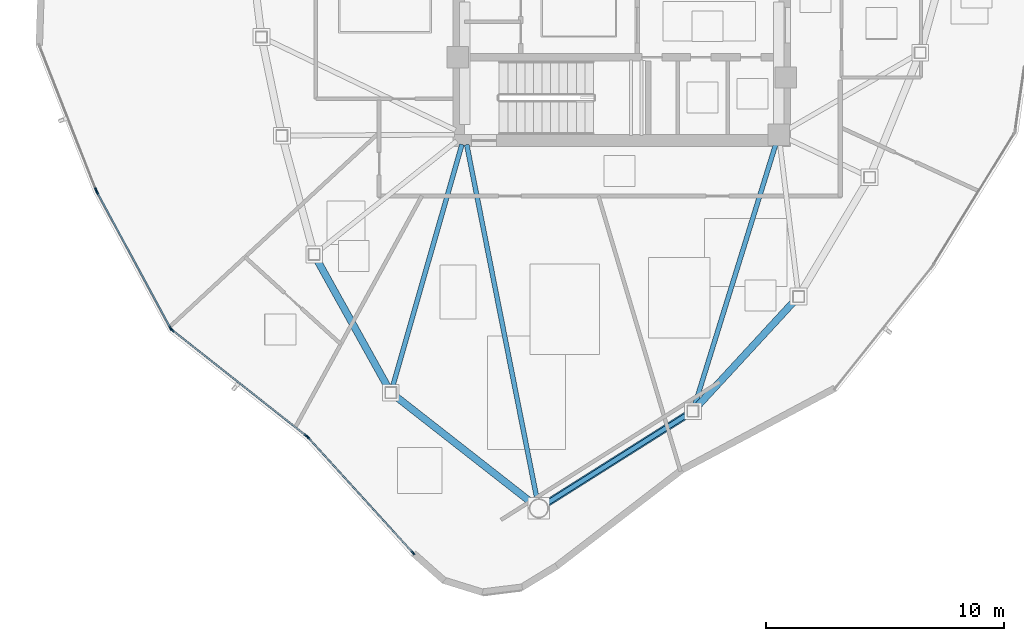
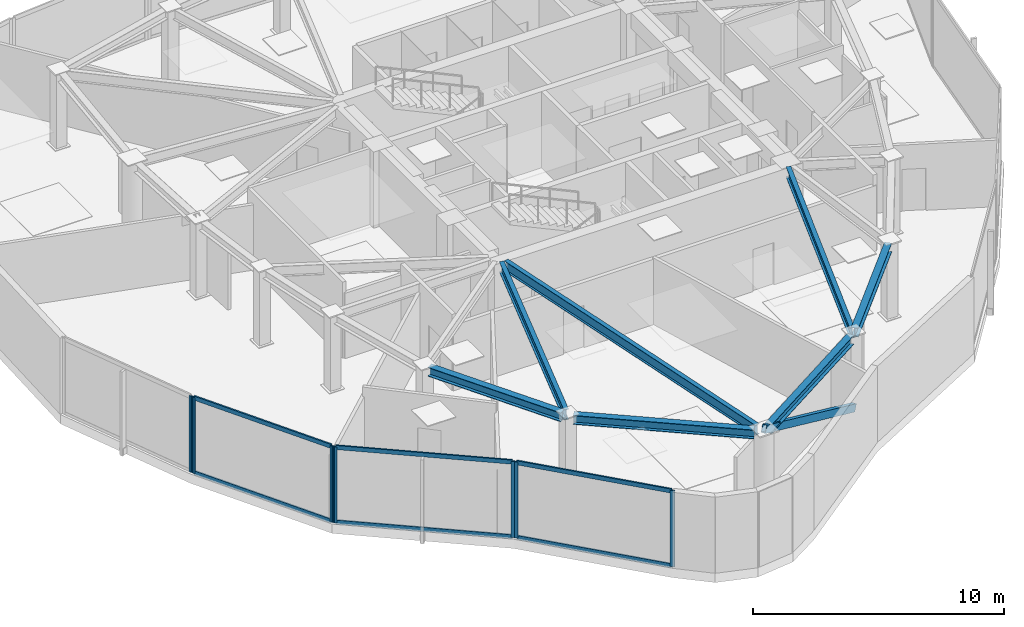
# One storey, part 2 of 14: 14 members, 7 beams, 4 elements without a shape of their own.
"""IFC4 building model written with IfcOpenShell, lengths in metres."""

from ifc_helpers import new_model, si_unit, direction, frame, origin, origin_2d, place, context, subcontext, project, spatial, hollow_rectangle, i_section, extrude, source, transform, mapped, material, layer, layer_set, material_profile, profile_set, type_object, type_shapes, element, aggregate, save


model = new_model("IFC4")

# Units and contexts
model_context = context("Model", 3, precision=1e-05, world=origin(), true_north=direction((0.0, 1.0)))
body_context = subcontext(model_context, "Body", "Model", "MODEL_VIEW")
ifc_project = project(units=[si_unit("LENGTHUNIT", "METRE"), si_unit("AREAUNIT", "SQUARE_METRE"), si_unit("VOLUMEUNIT", "CUBIC_METRE"), si_unit("PLANEANGLEUNIT", "RADIAN"), si_unit("MASSUNIT", "GRAM", prefix="KILO")], contexts=[model_context])

# Site, building, storey
site_placement = place(None, origin())
site = spatial("IfcSite", under=ifc_project, at=site_placement, CompositionType="ELEMENT")
building_placement = place(site_placement, origin())
building = spatial("IfcBuilding", under=site, at=building_placement, Name="Tavelor Broadcast Tower", CompositionType="ELEMENT")
storey_placement = place(building_placement, frame((0.0, 0.0, 273.5)))
storey = spatial("IfcBuildingStorey", under=building, at=storey_placement, Name="L65", CompositionType="ELEMENT", Elevation=273.5)

# Beams
ifc_material_1 = material(Name="Steel S355", Category="steel")
ifc_material_profile_1 = material_profile(ifc_material_1, i_section(OverallWidth=0.300048828125, OverallDepth=0.43994140625, WebThickness=0.011474609375, FlangeThickness=0.02099609375, at=origin_2d()), Name="HEA 450")
ifc_profile_set_1 = profile_set([ifc_material_profile_1], Name="Steel S355")
beam_type_1 = type_object("IfcBeamType", Name="Perimeter Spandrel Beam T7 HEA 450", PredefinedType="SPANDREL", material=ifc_profile_set_1)
beam_1_placement = place(storey_placement, frame((37.184814453125, 33.5498046875, 3.47998046875), z_axis=(0.485969141936, -0.873975968254, 0.0), x_axis=(0.873975968254, 0.485969141936, 0.0)))
element("IfcBeam", 1, at=beam_1_placement, inside=storey, type_object=beam_type_1, Name="L65 Framed-Tube Ring Spandrel 05", PredefinedType="SPANDREL", context=body_context, shape_type="SweptSolid", body=[
    extrude(i_section(OverallWidth=0.300048828125, OverallDepth=0.43994140625, WebThickness=0.011474609375, FlangeThickness=0.02099609375, at=origin_2d()), origin(), (0.0, 0.0, 1.0), 6.1630859375),
])
beam_2_placement = place(storey_placement, frame((40.485595703125, 27.8056640625, 3.47998046875), z_axis=(0.787521309141, -0.616287422919, 0.0), x_axis=(0.616287422919, 0.787521309141, 0.0)))
element("IfcBeam", 2, at=beam_2_placement, inside=storey, type_object=beam_type_1, Name="L65 Framed-Tube Ring Spandrel 06", PredefinedType="SPANDREL", context=body_context, shape_type="SweptSolid", body=[
    extrude(i_section(OverallWidth=0.300048828125, OverallDepth=0.43994140625, WebThickness=0.011474609375, FlangeThickness=0.02099609375, at=origin_2d()), origin(), (0.0, 0.0, 1.0), 7.265625),
])
beam_3_placement = place(storey_placement, frame((46.8447265625, 23.295654296875, 3.47998046875), z_axis=(0.845617600782, 0.53378916554, 0.0), x_axis=(-0.53378916554, 0.845617600782, 0.0)))
element("IfcBeam", 3, at=beam_3_placement, inside=storey, type_object=beam_type_1, Name="L65 Framed-Tube Ring Spandrel 07", PredefinedType="SPANDREL", context=body_context, shape_type="SweptSolid", body=[
    extrude(i_section(OverallWidth=0.300048828125, OverallDepth=0.43994140625, WebThickness=0.011474609375, FlangeThickness=0.02099609375, at=origin_2d()), origin(), (0.0, 0.0, 1.0), 7.03076171875),
])
beam_4_placement = place(storey_placement, frame((53.15576171875, 27.353271484375, 3.47998046875), z_axis=(0.677736891139, 0.735304499095, 0.0), x_axis=(-0.735304499095, 0.677736891139, 0.0)))
element("IfcBeam", 4, at=beam_4_placement, inside=storey, type_object=beam_type_1, Name="L65 Framed-Tube Ring Spandrel 08", PredefinedType="SPANDREL", context=body_context, shape_type="SweptSolid", body=[
    extrude(i_section(OverallWidth=0.300048828125, OverallDepth=0.43994140625, WebThickness=0.011474609375, FlangeThickness=0.02099609375, at=origin_2d()), origin(), (0.0, 0.0, 1.0), 6.06884765625),
])

# Member
ifc_material_profile_2 = material_profile(ifc_material_1, hollow_rectangle(XDim=0.199951171875, YDim=0.35009765625, WallThickness=0.01611328125, at=origin_2d()), Name="RHS 350x200x16")
ifc_profile_set_2 = profile_set([ifc_material_profile_2], Name="Steel S355")
member_type_1 = type_object("IfcMemberType", Name="Perimeter Tube Brace T7 RHS 350x200x16", PredefinedType="BRACE", material=ifc_profile_set_2)
member_1_placement = place(storey_placement, frame((52.992919921875, 27.1767578125, 0.0), z_axis=(-0.761462376336, -0.480666847696, 0.434895885184), x_axis=(0.533789146824, -0.845617612596, 0.0)))
element("IfcMember", 5, at=member_1_placement, inside=storey, type_object=member_type_1, Name="L65 Corner Tube Diagonal Brace 2", PredefinedType="BRACE", context=body_context, shape_type="SweptSolid", body=[
    extrude(hollow_rectangle(XDim=0.199951171875, YDim=0.35009765625, WallThickness=0.01611328125, at=origin_2d()), origin(), (0.0, 0.0, 1.0), 8.507568359375),
])

# Beams
ifc_material_profile_3 = material_profile(ifc_material_1, i_section(OverallWidth=0.199951171875, OverallDepth=0.5, WebThickness=0.01025390625, FlangeThickness=0.01611328125, at=origin_2d()), Name="IPE 500")
ifc_profile_set_3 = profile_set([ifc_material_profile_3], Name="Steel S355")
beam_type_2 = type_object("IfcBeamType", Name="Radial Floor Girder T7 IPE 500", PredefinedType="BEAM", material=ifc_profile_set_3)
beam_5_placement = place(storey_placement, frame((43.28125, 38.384765625, 3.449951171875), z_axis=(-0.275094925197, -0.961417069815, 0.0), x_axis=(0.961417069815, -0.275094925197, 0.0)))
element("IfcBeam", 6, at=beam_5_placement, inside=storey, type_object=beam_type_2, Name="L65 Radial Primary Floor Girder 06", PredefinedType="BEAM", context=body_context, shape_type="SweptSolid", body=[
    extrude(i_section(OverallWidth=0.199951171875, OverallDepth=0.5, WebThickness=0.01025390625, FlangeThickness=0.01611328125, at=origin_2d()), origin(), (0.0, 0.0, 1.0), 10.60986328125),
])
beam_6_placement = place(storey_placement, frame((43.48388671875, 38.376220703125, 3.449951171875), z_axis=(0.19444745334, -0.980912935938, 0.0), x_axis=(0.980912935938, 0.19444745334, 0.0)))
element("IfcBeam", 7, at=beam_6_placement, inside=storey, type_object=beam_type_2, Name="L65 Radial Primary Floor Girder 07", PredefinedType="BEAM", context=body_context, shape_type="SweptSolid", body=[
    extrude(i_section(OverallWidth=0.199951171875, OverallDepth=0.5, WebThickness=0.01025390625, FlangeThickness=0.01611328125, at=origin_2d()), origin(), (0.0, 0.0, 1.0), 15.196044921875),
])
beam_7_placement = place(storey_placement, frame((56.471923828125, 38.387451171875, 3.449951171875), z_axis=(-0.296373836186, -0.955072012585, 0.0), x_axis=(0.955072012585, -0.296373836186, 0.0)))
element("IfcBeam", 8, at=beam_7_placement, inside=storey, type_object=beam_type_2, Name="L65 Radial Primary Floor Girder 08", PredefinedType="BEAM", context=body_context, shape_type="SweptSolid", body=[
    extrude(i_section(OverallWidth=0.199951171875, OverallDepth=0.5, WebThickness=0.01025390625, FlangeThickness=0.01611328125, at=origin_2d()), origin(), (0.0, 0.0, 1.0), 11.498046875),
])

# Curtain wall, member
ifc_material_2 = material(Name="Architectural Anodized Aluminium", Category="aluminium")
ifc_layer = layer(ifc_material_2, 0.199951171875)
ifc_layer_set = layer_set([ifc_layer], Name="Architectural Anodized Aluminium")
curtain_wall_type = type_object("IfcCurtainWallType", Name="Tower High-Zone Triple-Glazed Curtain Wall CW04", PredefinedType="NOTDEFINED", material=ifc_layer_set)
curtain_wall_1_placement = place(storey_placement, origin())
curtain_wall_1 = element("IfcCurtainWall", 9, at=curtain_wall_1_placement, inside=storey, type_object=curtain_wall_type, Name="L65 Curtain Wall CW04 Run 709", PredefinedType="NOTDEFINED")
ifc_material_profile_4 = material_profile(ifc_material_2, hollow_rectangle(XDim=0.070068359375, YDim=0.199951171875, WallThickness=0.02197265625, at=origin_2d()), Name="RHS 70x200x22")
ifc_profile_set_4 = profile_set([ifc_material_profile_4], Name="Architectural Anodized Aluminium")
member_type_2 = type_object("IfcMemberType", Name="CW04 Extruded Aluminium Mullion 70x200", PredefinedType="MULLION", material=ifc_profile_set_4)
shared_shape_1 = source(origin(), body_context, "Body", "SweptSolid", [
    extrude(hollow_rectangle(XDim=0.070068359375, YDim=0.199951171875, WallThickness=0.02197265625, at=origin_2d()), origin(), (0.0, 0.0, 1.0), 3.699951171875),
])
type_shapes(member_type_2, [shared_shape_1])
member_2_placement = place(storey_placement, frame((27.9033203125, 36.46923828125, 0.0), z_axis=(0.0, 0.0, 1.0), x_axis=(0.9308975247, 0.365280438166, 0.0)))
member_2 = element("IfcMember", 10, at=member_2_placement, type_object=member_type_2, Name="CW04 mullion 2", PredefinedType="MULLION", context=body_context, shape_type="MappedRepresentation", body=[
    mapped(shared_shape_1, transform((0.0, 0.0, 0.0), scale=1.0)),
])
aggregate(curtain_wall_1, [member_2])

# Curtain wall, members
curtain_wall_2_placement = place(storey_placement, origin())
curtain_wall_2 = element("IfcCurtainWall", 11, at=curtain_wall_2_placement, inside=storey, type_object=curtain_wall_type, Name="L65 Curtain Wall CW04 Run 710", PredefinedType="NOTDEFINED")
member_3_placement = place(storey_placement, frame((27.9453125, 36.378662109375, 0.0), z_axis=(0.0, 0.0, 1.0), x_axis=(0.879852155649, 0.475247497836, 0.0)))
member_3 = element("IfcMember", 12, at=member_3_placement, type_object=member_type_2, Name="CW04 mullion 1", PredefinedType="MULLION", context=body_context, shape_type="MappedRepresentation", body=[
    mapped(shared_shape_1, transform((0.0, 0.0, 0.0), scale=1.0)),
])
member_4_placement = place(storey_placement, frame((31.032470703125, 30.66357421875, 0.0), z_axis=(0.0, 0.0, 1.0), x_axis=(0.879852155649, 0.475247497836, 0.0)))
member_4 = element("IfcMember", 13, at=member_4_placement, type_object=member_type_2, Name="CW04 mullion 2", PredefinedType="MULLION", context=body_context, shape_type="MappedRepresentation", body=[
    mapped(shared_shape_1, transform((0.0, 0.0, 0.0), scale=1.0)),
])

curtain_wall_3_placement = place(storey_placement, origin())
curtain_wall_3 = element("IfcCurtainWall", 14, at=curtain_wall_3_placement, inside=storey, type_object=curtain_wall_type, Name="L65 Curtain Wall CW04 Run 711", PredefinedType="NOTDEFINED")
member_5_placement = place(storey_placement, frame((31.095458984375, 30.588623046875, 0.0), z_axis=(0.0, 0.0, 1.0), x_axis=(0.619297381444, 0.785156515184, 0.0)))
member_5 = element("IfcMember", 15, at=member_5_placement, type_object=member_type_2, Name="CW04 mullion 1", PredefinedType="MULLION", context=body_context, shape_type="MappedRepresentation", body=[
    mapped(shared_shape_1, transform((0.0, 0.0, 0.0), scale=1.0)),
])
member_6_placement = place(storey_placement, frame((36.743408203125, 26.1337890625, 0.0), z_axis=(0.0, 0.0, 1.0), x_axis=(0.619297381444, 0.785156515184, 0.0)))
member_6 = element("IfcMember", 16, at=member_6_placement, type_object=member_type_2, Name="CW04 mullion 2", PredefinedType="MULLION", context=body_context, shape_type="MappedRepresentation", body=[
    mapped(shared_shape_1, transform((0.0, 0.0, 0.0), scale=1.0)),
])

curtain_wall_4_placement = place(storey_placement, origin())
curtain_wall_4 = element("IfcCurtainWall", 17, at=curtain_wall_4_placement, inside=storey, type_object=curtain_wall_type, Name="L65 Curtain Wall CW04 Run 712", PredefinedType="NOTDEFINED")
member_7_placement = place(storey_placement, frame((36.816162109375, 26.06591796875, 0.0), z_axis=(0.0, 0.0, 1.0), x_axis=(0.739916156429, 0.67269910172, 0.0)))
member_7 = element("IfcMember", 18, at=member_7_placement, type_object=member_type_2, Name="CW04 mullion 1", PredefinedType="MULLION", context=body_context, shape_type="MappedRepresentation", body=[
    mapped(shared_shape_1, transform((0.0, 0.0, 0.0), scale=1.0)),
])
member_8_placement = place(storey_placement, frame((41.2236328125, 21.21826171875, 0.0), z_axis=(0.0, 0.0, 1.0), x_axis=(0.739916156429, 0.67269910172, 0.0)))
member_8 = element("IfcMember", 19, at=member_8_placement, type_object=member_type_2, Name="CW04 mullion 2", PredefinedType="MULLION", context=body_context, shape_type="MappedRepresentation", body=[
    mapped(shared_shape_1, transform((0.0, 0.0, 0.0), scale=1.0)),
])

# Member
ifc_material_profile_5 = material_profile(ifc_material_2, hollow_rectangle(XDim=0.070068359375, YDim=0.199951171875, WallThickness=0.02197265625, at=origin_2d()), Name="RHS 70x200x22")
ifc_profile_set_5 = profile_set([ifc_material_profile_5], Name="Architectural Anodized Aluminium")
member_type_3 = type_object("IfcMemberType", Name="CW04 Extruded Aluminium Transom 70x200", PredefinedType="USERDEFINED", material=ifc_profile_set_5)
shared_shape_2 = source(origin(), body_context, "Body", "SweptSolid", [
    extrude(hollow_rectangle(XDim=0.070068359375, YDim=0.199951171875, WallThickness=0.02197265625, at=origin_2d()), origin(), (0.0, 0.0, 1.0), 6.42529296875),
])
member_9_placement = place(storey_placement, frame((27.962158203125, 36.347900390625, 0.034912109375), z_axis=(0.47523010819, -0.879861548353, 0.0), x_axis=(0.879861548353, 0.47523010819, 0.0)))
member_9 = element("IfcMember", 20, at=member_9_placement, type_object=member_type_3, Name="CW04 transom 1.1", ObjectType="TRANSOM", PredefinedType="USERDEFINED", context=body_context, shape_type="MappedRepresentation", body=[
    mapped(shared_shape_2, transform((0.0, 0.0, 0.0), scale=1.0)),
])

member_10_placement = place(storey_placement, frame((27.962158203125, 36.347900390625, 3.6650390625), z_axis=(0.47523010819, -0.879861548353, 0.0), x_axis=(0.879861548353, 0.47523010819, 0.0)))
member_10 = element("IfcMember", 21, at=member_10_placement, type_object=member_type_3, Name="CW04 transom 1.2", ObjectType="TRANSOM", PredefinedType="USERDEFINED", context=body_context, shape_type="MappedRepresentation", body=[
    mapped(shared_shape_2, transform((0.0, 0.0, 0.0), scale=1.0)),
])

aggregate(curtain_wall_2, [member_3, member_4, member_9, member_10])

shared_shape_3 = source(origin(), body_context, "Body", "SweptSolid", [
    extrude(hollow_rectangle(XDim=0.070068359375, YDim=0.199951171875, WallThickness=0.02197265625, at=origin_2d()), origin(), (0.0, 0.0, 1.0), 7.12353515625),
])
member_11_placement = place(storey_placement, frame((31.122802734375, 30.567138671875, 0.034912109375), z_axis=(0.785150264028, -0.619305306691, 0.0), x_axis=(0.619305306691, 0.785150264028, 0.0)))
member_11 = element("IfcMember", 22, at=member_11_placement, type_object=member_type_3, Name="CW04 transom 1.1", ObjectType="TRANSOM", PredefinedType="USERDEFINED", context=body_context, shape_type="MappedRepresentation", body=[
    mapped(shared_shape_3, transform((0.0, 0.0, 0.0), scale=1.0)),
])

member_12_placement = place(storey_placement, frame((31.122802734375, 30.567138671875, 3.6650390625), z_axis=(0.785150264028, -0.619305306691, 0.0), x_axis=(0.619305306691, 0.785150264028, 0.0)))
member_12 = element("IfcMember", 23, at=member_12_placement, type_object=member_type_3, Name="CW04 transom 1.2", ObjectType="TRANSOM", PredefinedType="USERDEFINED", context=body_context, shape_type="MappedRepresentation", body=[
    mapped(shared_shape_3, transform((0.0, 0.0, 0.0), scale=1.0)),
])

aggregate(curtain_wall_3, [member_5, member_6, member_11, member_12])

shared_shape_4 = source(origin(), body_context, "Body", "SweptSolid", [
    extrude(hollow_rectangle(XDim=0.070068359375, YDim=0.199951171875, WallThickness=0.02197265625, at=origin_2d()), origin(), (0.0, 0.0, 1.0), 6.481689453125),
])
type_shapes(member_type_3, [shared_shape_2, shared_shape_3, shared_shape_4])
member_13_placement = place(storey_placement, frame((36.83984375, 26.0400390625, 0.034912109375), z_axis=(0.672710288449, -0.739905985795, 0.0), x_axis=(0.739905985795, 0.672710288449, 0.0)))
member_13 = element("IfcMember", 24, at=member_13_placement, type_object=member_type_3, Name="CW04 transom 1.1", ObjectType="TRANSOM", PredefinedType="USERDEFINED", context=body_context, shape_type="MappedRepresentation", body=[
    mapped(shared_shape_4, transform((0.0, 0.0, 0.0), scale=1.0)),
])

member_14_placement = place(storey_placement, frame((36.83984375, 26.0400390625, 3.6650390625), z_axis=(0.672710288449, -0.739905985795, 0.0), x_axis=(0.739905985795, 0.672710288449, 0.0)))
member_14 = element("IfcMember", 25, at=member_14_placement, type_object=member_type_3, Name="CW04 transom 1.2", ObjectType="TRANSOM", PredefinedType="USERDEFINED", context=body_context, shape_type="MappedRepresentation", body=[
    mapped(shared_shape_4, transform((0.0, 0.0, 0.0), scale=1.0)),
])

aggregate(curtain_wall_4, [member_7, member_8, member_13, member_14])

save(model, "model.ifc")
